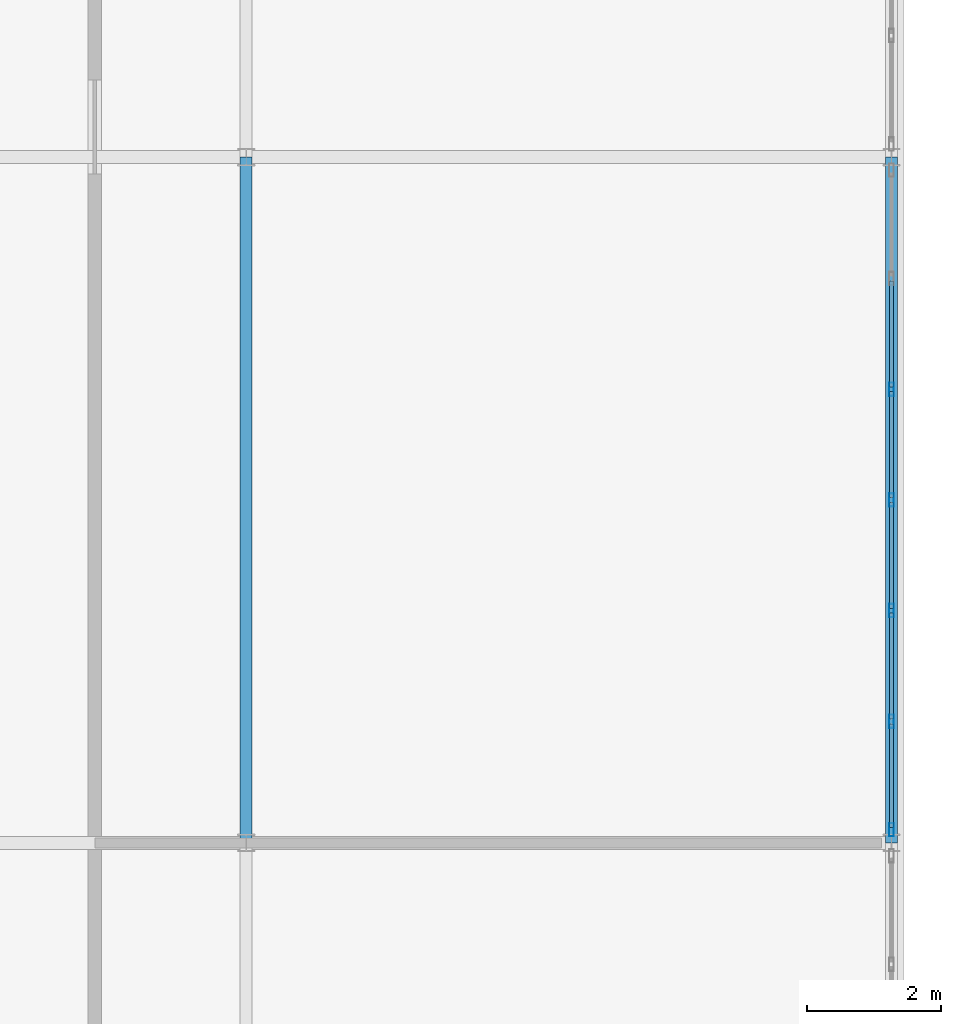
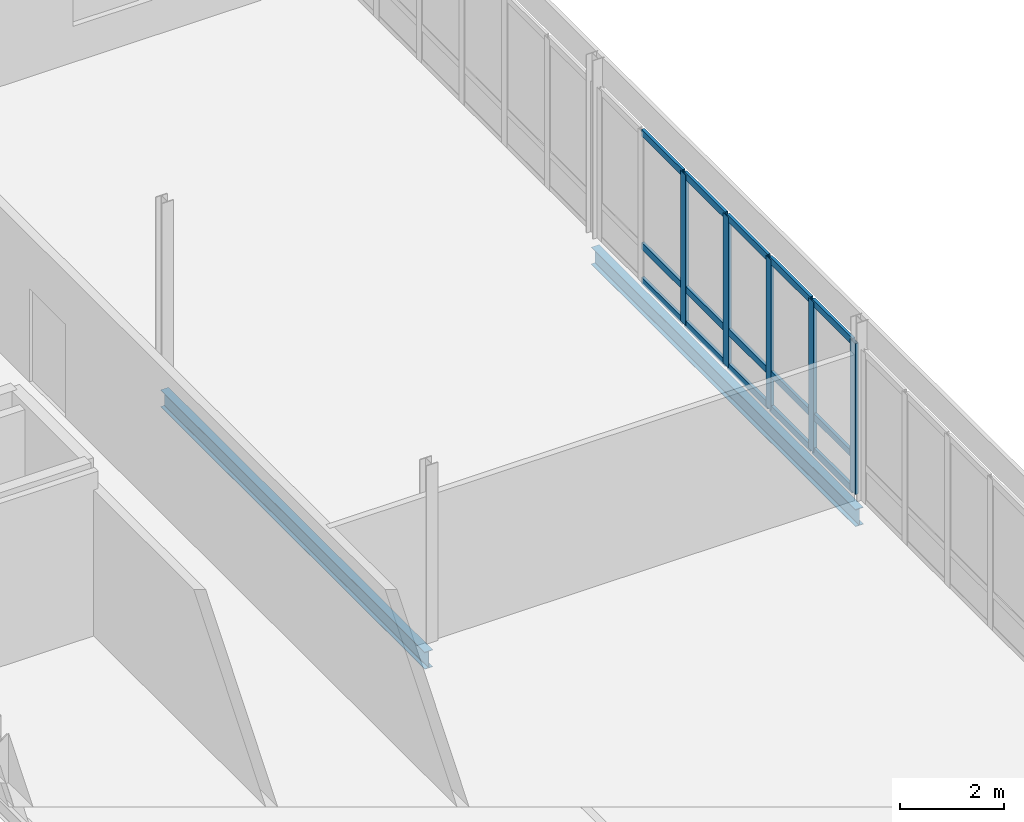
# One storey, part 118 of 170: 20 members, 2 beams, 1 element without a shape of its own.
"""IFC4 building model written with IfcOpenShell, lengths in metres."""

from ifc_helpers import new_model, si_unit, direction, frame, origin, origin_2d, place, context, subcontext, project, spatial, hollow_rectangle, i_section, extrude, material, material_profile, profile_set, type_object, element, aggregate, save


model = new_model("IFC4")

# Units and contexts
model_context = context("Model", 3, precision=1e-05, world=origin(), true_north=direction((0.0, 1.0)))
body_context = subcontext(model_context, "Body", "Model", "MODEL_VIEW")
ifc_project = project(units=[si_unit("LENGTHUNIT", "METRE"), si_unit("AREAUNIT", "SQUARE_METRE"), si_unit("VOLUMEUNIT", "CUBIC_METRE"), si_unit("PLANEANGLEUNIT", "RADIAN"), si_unit("MASSUNIT", "GRAM", prefix="KILO")], contexts=[model_context])

# Site, building, storey
site_placement = place(None, origin())
site = spatial("IfcSite", under=ifc_project, at=site_placement, CompositionType="ELEMENT")
building_placement = place(site_placement, origin())
building = spatial("IfcBuilding", under=site, at=building_placement, Name="Vondelvale Polytechnic", CompositionType="ELEMENT")
storey_placement = place(building_placement, frame((0.0, 0.0, 5.39990234375)))
storey = spatial("IfcBuildingStorey", under=building, at=storey_placement, Name="L01", CompositionType="ELEMENT", Elevation=5.39990234375)

# Beams
ifc_material_1 = material(Name="Steel 300PLUS (fy = 300 MPa)", Category="steel")
ifc_material_profile_1 = material_profile(ifc_material_1, i_section(OverallWidth=0.177978515625, OverallDepth=0.406005859375, WebThickness=0.0078125, FlangeThickness=0.0126953125, FilletRadius=0.011474609375, at=origin_2d()), Name="410UB59.7")
ifc_profile_set_1 = profile_set([ifc_material_profile_1], Name="Steel 300PLUS (fy = 300 MPa)")
beam_type = type_object("IfcBeamType", Name="BM-UB410", PredefinedType="BEAM", material=ifc_profile_set_1)
for number, where, z_axis, x_axis, name in (
    (1, (163.199951171875, 71.39990234375, -0.48291015625), (0.0, 1.0, 0.0), (-1.0, 0.0, 0.0), "L01 B B-14"),
    (2, (172.800048828125, 71.39990234375, -0.48291015625), (0.0, 1.0, 0.0), (-1.0, 0.0, 0.0), "L01 B B-14"),
):
    element("IfcBeam", number, at=place(storey_placement, frame(where, z_axis=z_axis, x_axis=x_axis)), inside=storey, type_object=beam_type, Name=name, PredefinedType="BEAM", context=body_context, shape_type="SweptSolid", body=[
        extrude(i_section(OverallWidth=0.177978515625, OverallDepth=0.406005859375, WebThickness=0.0078125, FlangeThickness=0.0126953125, FilletRadius=0.011474609375, at=origin_2d()), origin(), (0.0, 0.0, 1.0), 10.2001953125),
    ])

# Curtain wall, members
ifc_material_2 = material(Name="Anodised extruded aluminium 6063-T6", Category="aluminium")
curtain_wall_type = type_object("IfcCurtainWallType", Name="CW-REFECTORY", PredefinedType="NOTDEFINED", material=ifc_material_2)
curtain_wall_placement = place(storey_placement, origin())
curtain_wall = element("IfcCurtainWall", 3, at=curtain_wall_placement, inside=storey, type_object=curtain_wall_type, Name="L01 architectural curtain wall CW-05-391", PredefinedType="NOTDEFINED")
ifc_material_profile_2 = material_profile(ifc_material_2, hollow_rectangle(XDim=0.070068359375, YDim=0.199951171875, WallThickness=0.00390625, at=origin_2d()), Name="CW-MUL-200x70")
ifc_profile_set_2 = profile_set([ifc_material_profile_2], Name="Anodised extruded aluminium 6063-T6")
member_type_1 = type_object("IfcMemberType", Name="CW-MUL-70x200", PredefinedType="MULLION", material=ifc_profile_set_2)
member_1_placement = place(storey_placement, frame((172.800048828125, 71.594970703125, 0.0), z_axis=(0.0, 0.0, 1.0), x_axis=(-1.0, 0.0, 0.0)))
member_1 = element("IfcMember", 4, at=member_1_placement, type_object=member_type_1, Name="CW-05-391 mullion 1", PredefinedType="MULLION", context=body_context, shape_type="SweptSolid", body=[
    extrude(hollow_rectangle(XDim=0.070068359375, YDim=0.199951171875, WallThickness=0.00390625, at=origin_2d()), origin(), (0.0, 0.0, 1.0), 3.550048828125),
])
member_2_placement = place(storey_placement, frame((172.800048828125, 73.206787109375, 0.0), z_axis=(0.0, 0.0, 1.0), x_axis=(-1.0, 0.0, 0.0)))
member_2 = element("IfcMember", 5, at=member_2_placement, type_object=member_type_1, Name="CW-05-391 mullion 2", PredefinedType="MULLION", context=body_context, shape_type="SweptSolid", body=[
    extrude(hollow_rectangle(XDim=0.070068359375, YDim=0.199951171875, WallThickness=0.00390625, at=origin_2d()), origin(), (0.0, 0.0, 1.0), 3.550048828125),
])
member_3_placement = place(storey_placement, frame((172.800048828125, 74.853271484375, 0.0), z_axis=(0.0, 0.0, 1.0), x_axis=(-1.0, 0.0, 0.0)))
member_3 = element("IfcMember", 6, at=member_3_placement, type_object=member_type_1, Name="CW-05-391 mullion 3", PredefinedType="MULLION", context=body_context, shape_type="SweptSolid", body=[
    extrude(hollow_rectangle(XDim=0.070068359375, YDim=0.199951171875, WallThickness=0.00390625, at=origin_2d()), origin(), (0.0, 0.0, 1.0), 3.550048828125),
])
member_4_placement = place(storey_placement, frame((172.800048828125, 76.5, 0.0), z_axis=(0.0, 0.0, 1.0), x_axis=(-1.0, 0.0, 0.0)))
member_4 = element("IfcMember", 7, at=member_4_placement, type_object=member_type_1, Name="CW-05-391 mullion 4", PredefinedType="MULLION", context=body_context, shape_type="SweptSolid", body=[
    extrude(hollow_rectangle(XDim=0.070068359375, YDim=0.199951171875, WallThickness=0.00390625, at=origin_2d()), origin(), (0.0, 0.0, 1.0), 3.550048828125),
])
member_5_placement = place(storey_placement, frame((172.800048828125, 78.146728515625, 0.0), z_axis=(0.0, 0.0, 1.0), x_axis=(-1.0, 0.0, 0.0)))
member_5 = element("IfcMember", 8, at=member_5_placement, type_object=member_type_1, Name="CW-05-391 mullion 5", PredefinedType="MULLION", context=body_context, shape_type="SweptSolid", body=[
    extrude(hollow_rectangle(XDim=0.070068359375, YDim=0.199951171875, WallThickness=0.00390625, at=origin_2d()), origin(), (0.0, 0.0, 1.0), 3.550048828125),
])
ifc_material_profile_3 = material_profile(ifc_material_2, hollow_rectangle(XDim=0.06494140625, YDim=0.159912109375, WallThickness=0.00341796875, at=origin_2d()), Name="CW-TRN-160x65")
ifc_profile_set_3 = profile_set([ifc_material_profile_3], Name="Anodised extruded aluminium 6063-T6")
member_type_2 = type_object("IfcMemberType", Name="CW-TRN-70x160", PredefinedType="USERDEFINED", material=ifc_profile_set_3)
member_6_placement = place(storey_placement, frame((172.800048828125, 71.6298828125, 0.03271484375), z_axis=(0.0, 1.0, 0.0), x_axis=(-1.0, 0.0, 0.0)))
member_6 = element("IfcMember", 9, at=member_6_placement, type_object=member_type_2, Name="CW-05-391 transom 1.1", ObjectType="TRANSOM", PredefinedType="USERDEFINED", context=body_context, shape_type="SweptSolid", body=[
    extrude(hollow_rectangle(XDim=0.06494140625, YDim=0.159912109375, WallThickness=0.00341796875, at=origin_2d()), origin(), (0.0, 0.0, 1.0), 1.541748046875),
])
member_7_placement = place(storey_placement, frame((172.800048828125, 71.6298828125, 0.85009765625), z_axis=(0.0, 1.0, 0.0), x_axis=(-1.0, 0.0, 0.0)))
member_7 = element("IfcMember", 10, at=member_7_placement, type_object=member_type_2, Name="CW-05-391 transom 1.2", ObjectType="TRANSOM", PredefinedType="USERDEFINED", context=body_context, shape_type="SweptSolid", body=[
    extrude(hollow_rectangle(XDim=0.06494140625, YDim=0.159912109375, WallThickness=0.00341796875, at=origin_2d()), origin(), (0.0, 0.0, 1.0), 1.541748046875),
])
member_8_placement = place(storey_placement, frame((172.800048828125, 71.6298828125, 3.517578125), z_axis=(0.0, 1.0, 0.0), x_axis=(-1.0, 0.0, 0.0)))
member_8 = element("IfcMember", 11, at=member_8_placement, type_object=member_type_2, Name="CW-05-391 transom 1.3", ObjectType="TRANSOM", PredefinedType="USERDEFINED", context=body_context, shape_type="SweptSolid", body=[
    extrude(hollow_rectangle(XDim=0.06494140625, YDim=0.159912109375, WallThickness=0.00341796875, at=origin_2d()), origin(), (0.0, 0.0, 1.0), 1.541748046875),
])
member_9_placement = place(storey_placement, frame((172.800048828125, 73.24169921875, 0.03271484375), z_axis=(0.0, 1.0, 0.0), x_axis=(-1.0, 0.0, 0.0)))
member_9 = element("IfcMember", 12, at=member_9_placement, type_object=member_type_2, Name="CW-05-391 transom 2.1", ObjectType="TRANSOM", PredefinedType="USERDEFINED", context=body_context, shape_type="SweptSolid", body=[
    extrude(hollow_rectangle(XDim=0.06494140625, YDim=0.159912109375, WallThickness=0.00341796875, at=origin_2d()), origin(), (0.0, 0.0, 1.0), 1.57666015625),
])
member_10_placement = place(storey_placement, frame((172.800048828125, 73.24169921875, 0.85009765625), z_axis=(0.0, 1.0, 0.0), x_axis=(-1.0, 0.0, 0.0)))
member_10 = element("IfcMember", 13, at=member_10_placement, type_object=member_type_2, Name="CW-05-391 transom 2.2", ObjectType="TRANSOM", PredefinedType="USERDEFINED", context=body_context, shape_type="SweptSolid", body=[
    extrude(hollow_rectangle(XDim=0.06494140625, YDim=0.159912109375, WallThickness=0.00341796875, at=origin_2d()), origin(), (0.0, 0.0, 1.0), 1.57666015625),
])
member_11_placement = place(storey_placement, frame((172.800048828125, 73.24169921875, 3.517578125), z_axis=(0.0, 1.0, 0.0), x_axis=(-1.0, 0.0, 0.0)))
member_11 = element("IfcMember", 14, at=member_11_placement, type_object=member_type_2, Name="CW-05-391 transom 2.3", ObjectType="TRANSOM", PredefinedType="USERDEFINED", context=body_context, shape_type="SweptSolid", body=[
    extrude(hollow_rectangle(XDim=0.06494140625, YDim=0.159912109375, WallThickness=0.00341796875, at=origin_2d()), origin(), (0.0, 0.0, 1.0), 1.57666015625),
])
member_12_placement = place(storey_placement, frame((172.800048828125, 74.888427734375, 0.03271484375), z_axis=(0.0, 1.0, 0.0), x_axis=(-1.0, 0.0, 0.0)))
member_12 = element("IfcMember", 15, at=member_12_placement, type_object=member_type_2, Name="CW-05-391 transom 3.1", ObjectType="TRANSOM", PredefinedType="USERDEFINED", context=body_context, shape_type="SweptSolid", body=[
    extrude(hollow_rectangle(XDim=0.06494140625, YDim=0.159912109375, WallThickness=0.00341796875, at=origin_2d()), origin(), (0.0, 0.0, 1.0), 1.57666015625),
])
member_13_placement = place(storey_placement, frame((172.800048828125, 74.888427734375, 0.85009765625), z_axis=(0.0, 1.0, 0.0), x_axis=(-1.0, 0.0, 0.0)))
member_13 = element("IfcMember", 16, at=member_13_placement, type_object=member_type_2, Name="CW-05-391 transom 3.2", ObjectType="TRANSOM", PredefinedType="USERDEFINED", context=body_context, shape_type="SweptSolid", body=[
    extrude(hollow_rectangle(XDim=0.06494140625, YDim=0.159912109375, WallThickness=0.00341796875, at=origin_2d()), origin(), (0.0, 0.0, 1.0), 1.57666015625),
])
member_14_placement = place(storey_placement, frame((172.800048828125, 74.888427734375, 3.517578125), z_axis=(0.0, 1.0, 0.0), x_axis=(-1.0, 0.0, 0.0)))
member_14 = element("IfcMember", 17, at=member_14_placement, type_object=member_type_2, Name="CW-05-391 transom 3.3", ObjectType="TRANSOM", PredefinedType="USERDEFINED", context=body_context, shape_type="SweptSolid", body=[
    extrude(hollow_rectangle(XDim=0.06494140625, YDim=0.159912109375, WallThickness=0.00341796875, at=origin_2d()), origin(), (0.0, 0.0, 1.0), 1.57666015625),
])
member_15_placement = place(storey_placement, frame((172.800048828125, 76.534912109375, 0.03271484375), z_axis=(0.0, 1.0, 0.0), x_axis=(-1.0, 0.0, 0.0)))
member_15 = element("IfcMember", 18, at=member_15_placement, type_object=member_type_2, Name="CW-05-391 transom 4.1", ObjectType="TRANSOM", PredefinedType="USERDEFINED", context=body_context, shape_type="SweptSolid", body=[
    extrude(hollow_rectangle(XDim=0.06494140625, YDim=0.159912109375, WallThickness=0.00341796875, at=origin_2d()), origin(), (0.0, 0.0, 1.0), 1.57666015625),
])
member_16_placement = place(storey_placement, frame((172.800048828125, 76.534912109375, 0.85009765625), z_axis=(0.0, 1.0, 0.0), x_axis=(-1.0, 0.0, 0.0)))
member_16 = element("IfcMember", 19, at=member_16_placement, type_object=member_type_2, Name="CW-05-391 transom 4.2", ObjectType="TRANSOM", PredefinedType="USERDEFINED", context=body_context, shape_type="SweptSolid", body=[
    extrude(hollow_rectangle(XDim=0.06494140625, YDim=0.159912109375, WallThickness=0.00341796875, at=origin_2d()), origin(), (0.0, 0.0, 1.0), 1.57666015625),
])
member_17_placement = place(storey_placement, frame((172.800048828125, 76.534912109375, 3.517578125), z_axis=(0.0, 1.0, 0.0), x_axis=(-1.0, 0.0, 0.0)))
member_17 = element("IfcMember", 20, at=member_17_placement, type_object=member_type_2, Name="CW-05-391 transom 4.3", ObjectType="TRANSOM", PredefinedType="USERDEFINED", context=body_context, shape_type="SweptSolid", body=[
    extrude(hollow_rectangle(XDim=0.06494140625, YDim=0.159912109375, WallThickness=0.00341796875, at=origin_2d()), origin(), (0.0, 0.0, 1.0), 1.57666015625),
])
member_18_placement = place(storey_placement, frame((172.800048828125, 78.181640625, 0.03271484375), z_axis=(0.0, 1.0, 0.0), x_axis=(-1.0, 0.0, 0.0)))
member_18 = element("IfcMember", 21, at=member_18_placement, type_object=member_type_2, Name="CW-05-391 transom 5.1", ObjectType="TRANSOM", PredefinedType="USERDEFINED", context=body_context, shape_type="SweptSolid", body=[
    extrude(hollow_rectangle(XDim=0.06494140625, YDim=0.159912109375, WallThickness=0.00341796875, at=origin_2d()), origin(), (0.0, 0.0, 1.0), 1.57666015625),
])
member_19_placement = place(storey_placement, frame((172.800048828125, 78.181640625, 0.85009765625), z_axis=(0.0, 1.0, 0.0), x_axis=(-1.0, 0.0, 0.0)))
member_19 = element("IfcMember", 22, at=member_19_placement, type_object=member_type_2, Name="CW-05-391 transom 5.2", ObjectType="TRANSOM", PredefinedType="USERDEFINED", context=body_context, shape_type="SweptSolid", body=[
    extrude(hollow_rectangle(XDim=0.06494140625, YDim=0.159912109375, WallThickness=0.00341796875, at=origin_2d()), origin(), (0.0, 0.0, 1.0), 1.57666015625),
])
member_20_placement = place(storey_placement, frame((172.800048828125, 78.181640625, 3.517578125), z_axis=(0.0, 1.0, 0.0), x_axis=(-1.0, 0.0, 0.0)))
member_20 = element("IfcMember", 23, at=member_20_placement, type_object=member_type_2, Name="CW-05-391 transom 5.3", ObjectType="TRANSOM", PredefinedType="USERDEFINED", context=body_context, shape_type="SweptSolid", body=[
    extrude(hollow_rectangle(XDim=0.06494140625, YDim=0.159912109375, WallThickness=0.00341796875, at=origin_2d()), origin(), (0.0, 0.0, 1.0), 1.57666015625),
])
aggregate(curtain_wall, [member_1, member_2, member_3, member_4, member_5, member_6, member_7, member_8, member_9, member_10, member_11, member_12, member_13, member_14, member_15, member_16, member_17, member_18, member_19, member_20])

save(model, "model.ifc")
